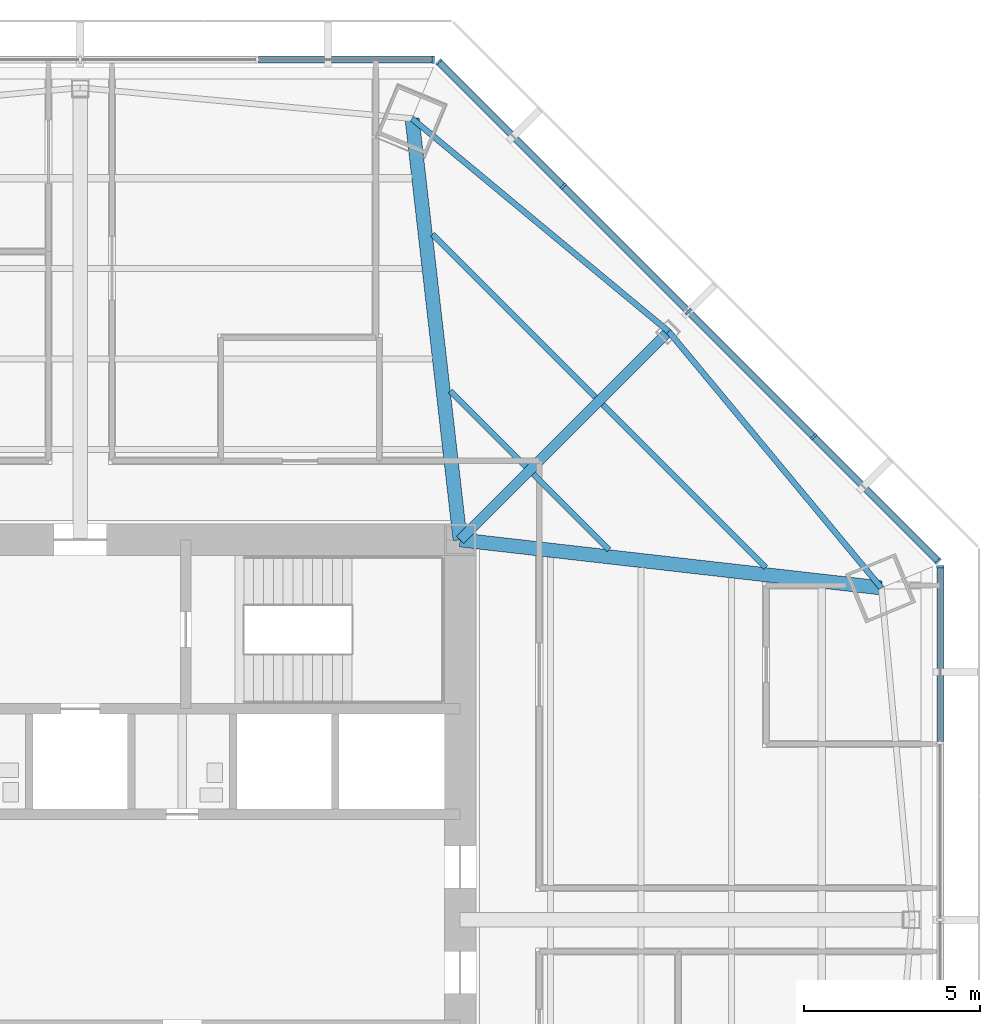
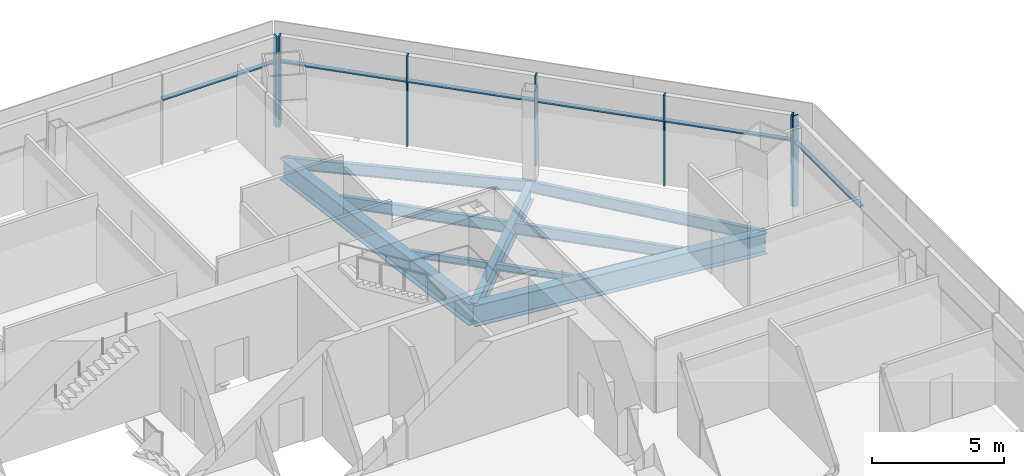
# One storey, part 6 of 15: 13 members, 9 beams, 3 elements without a shape of their own.
"""IFC4 building model written with IfcOpenShell, lengths in metres."""

import ifcopenshell
import ifcopenshell.guid

model = None  # the IFC model being written
_history = None  # IfcOwnerHistory: only IFC2X3 demands one
_inside = {}  # id of a spatial element -> (the spatial element, [elements in it])
_under = {}  # id of a project, library or spatial element -> (it, [spatial elements below it])
_declared = {}  # id of a project -> (the project, [libraries it declares])
_typed = {}  # id of a type object -> (the type object, [elements of that type])
_made_of = {}  # id of a material, layer set ... -> (it, [elements and type objects made of it])


def new_model(schema):
    """Start an empty IFC model of exactly this schema.

    Asked for "IFC4X3", IfcOpenShell would pick the latest addendum, in which some entities
    have other attributes; the version numbers below select the first issue.
    IFC2X3 requires an IfcOwnerHistory on every rooted entity: one is made here for all.
    """
    global model, _history
    if schema == "IFC4X3":
        model = ifcopenshell.file(schema_version=(4, 3, 0, 0))
    else:
        model = ifcopenshell.file(schema=schema)
    _inside.clear()
    _under.clear()
    _declared.clear()
    _typed.clear()
    _made_of.clear()
    _history = None
    if model.schema == "IFC2X3":
        org = make("IfcOrganization", Name="unknown")
        user = make(
            "IfcPersonAndOrganization",
            ThePerson=make("IfcPerson", FamilyName="unknown"),
            TheOrganization=org,
        )
        app = make(
            "IfcApplication",
            ApplicationDeveloper=org,
            Version="unknown",
            ApplicationFullName="unknown",
            ApplicationIdentifier="unknown",
        )
        _history = make(
            "IfcOwnerHistory",
            OwningUser=user,
            OwningApplication=app,
            ChangeAction="ADDED",
            CreationDate=0,
        )
    return model


def make(cls, **values):
    """One entity of the class cls with the attributes given. An attribute that is None is left unset."""
    return model.create_entity(
        cls, **{name: value for name, value in values.items() if value is not None}
    )


def rooted(cls, **values):
    """An entity with a GlobalId (a new one), such as an element, a storey or a relation."""
    return make(cls, GlobalId=ifcopenshell.guid.new(), OwnerHistory=_history, **values)


def si_unit(unit_type, name, prefix=None):
    """IfcSIUnit, for example si_unit("LENGTHUNIT", "METRE", prefix="MILLI")."""
    return make("IfcSIUnit", UnitType=unit_type, Prefix=prefix, Name=name)


def assignment(units):
    """IfcUnitAssignment: the units of a project."""
    return None if units is None else make("IfcUnitAssignment", Units=units)


def point(xyz):
    """IfcCartesianPoint."""
    return None if xyz is None else make("IfcCartesianPoint", Coordinates=xyz)


def direction(xyz):
    """IfcDirection."""
    return None if xyz is None else make("IfcDirection", DirectionRatios=xyz)


def frame(location, z_axis=None, x_axis=None):
    """IfcAxis2Placement3D, a coordinate frame: its origin and axes. An axis left out is left unset."""
    return make(
        "IfcAxis2Placement3D",
        Location=point(location),
        Axis=direction(z_axis),
        RefDirection=direction(x_axis),
    )


def frame_2d(location, x_axis=None):
    """IfcAxis2Placement2D, a coordinate frame in the plane: its origin and x axis."""
    return make(
        "IfcAxis2Placement2D", Location=point(location), RefDirection=direction(x_axis)
    )


def origin():
    """The frame at (0, 0, 0) with its axes left unset."""
    return frame((0.0, 0.0, 0.0))


def origin_2d():
    """The frame at (0, 0) in the plane with its x axis left unset."""
    return frame_2d((0.0, 0.0))


def place(relative_to, where):
    """IfcLocalPlacement: puts the frame where relative to a parent placement (None: the world)."""
    return make(
        "IfcLocalPlacement", PlacementRelTo=relative_to, RelativePlacement=where
    )


def context(
    kind, dimensions, precision=None, world=None, true_north=None, identifier=None
):
    """IfcGeometricRepresentationContext, for example the 3D "Model" context."""
    return make(
        "IfcGeometricRepresentationContext",
        ContextIdentifier=identifier,
        ContextType=kind,
        CoordinateSpaceDimension=dimensions,
        Precision=precision,
        WorldCoordinateSystem=world,
        TrueNorth=true_north,
    )


def subcontext(parent, identifier, kind, view, scale=None):
    """IfcGeometricRepresentationSubContext, for example "Body" below "Model"."""
    return make(
        "IfcGeometricRepresentationSubContext",
        ContextIdentifier=identifier,
        ContextType=kind,
        ParentContext=parent,
        TargetScale=scale,
        TargetView=view,
    )


def project(units=None, contexts=None):
    """IfcProject with its units and contexts."""
    return rooted(
        "IfcProject",
        Name="project",
        RepresentationContexts=contexts,
        UnitsInContext=assignment(units),
    )


def spatial(cls, under=None, at=None, **own):
    """A site, building, storey or space (cls), placed at a placement, below another one or the project."""
    s = rooted(cls, ObjectPlacement=at, **own)
    if under is not None:
        _under.setdefault(under.id(), (under, []))[1].append(s)
    return s


def profile(cls, at=None, kind="AREA", **sizes):
    """A parametric profile (cls). Its sizes go by their IFC names, for example OverallWidth=200.0."""
    return make(cls, ProfileType=kind, Position=at, **sizes)


def rectangle(**sizes):
    """IfcRectangleProfileDef."""
    return profile("IfcRectangleProfileDef", **sizes)


def i_section(**sizes):
    """IfcIShapeProfileDef."""
    return profile("IfcIShapeProfileDef", **sizes)


def extrude(swept, where, along, depth):
    """IfcExtrudedAreaSolid: the profile swept, set in the frame where, extruded along a direction by depth."""
    return make(
        "IfcExtrudedAreaSolid",
        SweptArea=swept,
        Position=where,
        ExtrudedDirection=direction(along),
        Depth=depth,
    )


def shape(context_of_items, identifier, shape_type, items):
    """IfcShapeRepresentation: the items that make up one representation, for example the "Body"."""
    return make(
        "IfcShapeRepresentation",
        ContextOfItems=context_of_items,
        RepresentationIdentifier=identifier,
        RepresentationType=shape_type,
        Items=items,
    )


def source(mapping_origin, context_of_items, identifier, shape_type, items):
    """IfcRepresentationMap: a shape defined once, which mapped items show again and again."""
    return make(
        "IfcRepresentationMap",
        MappingOrigin=mapping_origin,
        MappedRepresentation=shape(context_of_items, identifier, shape_type, items),
    )


def transform(
    local_origin,
    x_axis=None,
    y_axis=None,
    z_axis=None,
    scale=None,
    scale2=None,
    scale3=None,
    uniform=True,
):
    """IfcCartesianTransformationOperator3D, or its non-uniform kind. x_axis, y_axis, z_axis: its Axis1, 2, 3."""
    if uniform:
        return make(
            "IfcCartesianTransformationOperator3D",
            Axis1=direction(x_axis),
            Axis2=direction(y_axis),
            LocalOrigin=point(local_origin),
            Scale=scale,
            Axis3=direction(z_axis),
        )
    return make(
        "IfcCartesianTransformationOperator3DnonUniform",
        Axis1=direction(x_axis),
        Axis2=direction(y_axis),
        LocalOrigin=point(local_origin),
        Scale=scale,
        Axis3=direction(z_axis),
        Scale2=scale2,
        Scale3=scale3,
    )


def mapped(mapping_source, mapping_target):
    """IfcMappedItem: shows the shape of a source again, moved by a transform."""
    return make(
        "IfcMappedItem", MappingSource=mapping_source, MappingTarget=mapping_target
    )


def material(Name=None, Category=None):
    """IfcMaterial."""
    return make("IfcMaterial", Name=Name, Category=Category)


def material_profile(
    of_material, cross_section, Name=None, Category=None, Priority=None
):
    """IfcMaterialProfile: a cross section and its material."""
    return make(
        "IfcMaterialProfile",
        Name=Name,
        Material=of_material,
        Profile=cross_section,
        Priority=Priority,
        Category=Category,
    )


def profile_set(profiles, Name=None, composite=None):
    """IfcMaterialProfileSet."""
    return make(
        "IfcMaterialProfileSet",
        Name=Name,
        MaterialProfiles=profiles,
        CompositeProfile=composite,
    )


def made_of(thing, what):
    """Note that an element or type object is made of a material, layer set ...; save() writes the relation."""
    if what is not None:
        _made_of.setdefault(what.id(), (what, []))[1].append(thing)
    return thing


def type_object(cls, material=None, **own):
    """A type object (cls), such as IfcWallType, which elements share."""
    return made_of(rooted(cls, **own), material)


def type_shapes(of_type, sources):
    """Give a type object the sources (RepresentationMaps) that its elements show as mapped items."""
    of_type.RepresentationMaps = sources


def element(
    cls,
    number,
    at=None,
    inside=None,
    cuts=None,
    type_object=None,
    material=None,
    context=None,
    identifier="Body",
    shape_type=None,
    held_by="IfcProductDefinitionShape",
    body=None,
    shapes=None,
    **own,
):
    """One element of the class cls, such as IfcWall. Its Tag is "e" and its number.

    at: its placement. inside: the storey or other place that contains it. cuts: it is an
    opening in that element (IfcRelVoidsElement). A single representation is given by context,
    identifier, shape_type and body (its items); several are given by shapes. held_by: the class
    of the entity that holds the representations. save() writes the other relations.
    """
    e = rooted(cls, Tag="e%d" % number, ObjectPlacement=at, **own)
    if body is not None:
        shapes = [shape(context, identifier, shape_type, body)]
    if shapes is not None:
        e.Representation = make(held_by, Representations=shapes)
    if inside is not None:
        _inside.setdefault(inside.id(), (inside, []))[1].append(e)
    if cuts is not None:
        rooted(
            "IfcRelVoidsElement", RelatingBuildingElement=cuts, RelatedOpeningElement=e
        )
    if type_object is not None:
        _typed.setdefault(type_object.id(), (type_object, []))[1].append(e)
    return made_of(e, material)


def aggregate(whole, parts):
    """IfcRelAggregates: a whole, such as a stair, and the parts it consists of."""
    return rooted("IfcRelAggregates", RelatingObject=whole, RelatedObjects=parts)


def save(model, path):
    """Write the relations noted so far, then the file.

    IfcRelAggregates (storeys below a building ...), IfcRelContainedInSpatialStructure (elements
    in a storey), IfcRelDefinesByType, IfcRelAssociatesMaterial and IfcRelDeclares: one each for
    every whole, place, type object, material and project.
    """
    for whole, parts in _under.values():
        aggregate(whole, parts)
    for where, things in _inside.values():
        rooted(
            "IfcRelContainedInSpatialStructure",
            RelatedElements=things,
            RelatingStructure=where,
        )
    for kind, things in _typed.values():
        rooted("IfcRelDefinesByType", RelatedObjects=things, RelatingType=kind)
    for what, things in _made_of.values():
        rooted("IfcRelAssociatesMaterial", RelatedObjects=things, RelatingMaterial=what)
    for by, libraries in _declared.values():
        rooted("IfcRelDeclares", RelatingContext=by, RelatedDefinitions=libraries)
    model.write(path)


model = new_model("IFC4")

# Units and contexts
model_context = context("Model", 3, precision=1e-05, world=origin(), true_north=direction((0.0, 1.0)))
body_context = subcontext(model_context, "Body", "Model", "MODEL_VIEW")
ifc_project = project(units=[si_unit("LENGTHUNIT", "METRE"), si_unit("AREAUNIT", "SQUARE_METRE"), si_unit("VOLUMEUNIT", "CUBIC_METRE"), si_unit("PLANEANGLEUNIT", "RADIAN"), si_unit("MASSUNIT", "GRAM", prefix="KILO")], contexts=[model_context])

# Site, building, storey
site_placement = place(None, origin())
site = spatial("IfcSite", under=ifc_project, at=site_placement, CompositionType="ELEMENT")
building_placement = place(site_placement, origin())
building = spatial("IfcBuilding", under=site, at=building_placement, Name="Mashrafa Tower", CompositionType="ELEMENT")
storey_placement = place(building_placement, frame((0.0, 0.0, 126.0)))
storey = spatial("IfcBuildingStorey", under=building, at=storey_placement, Name="L28", CompositionType="ELEMENT", Elevation=126.0)

# Beams
ifc_material_1 = material(Name="Steel ASTM A992", Category="steel")
ifc_material_profile_1 = material_profile(ifc_material_1, i_section(OverallWidth=0.164794921875, OverallDepth=0.309814453125, WebThickness=0.005859375, FlangeThickness=0.009765625, FilletRadius=0.007568359375, at=origin_2d()), Name="W12X26")
ifc_profile_set_1 = profile_set([ifc_material_profile_1], Name="Steel ASTM A992")
beam_type_1 = type_object("IfcBeamType", Name="Beam W12X26", PredefinedType="BEAM", material=ifc_profile_set_1)
for number, where, z_axis, x_axis, name in (
    (1, (10.51953125, 15.031494140625, -0.31982421875), (0.707106781187, -0.707106781187, 0.0), (0.707106781187, 0.707106781187, 0.0), "Floor beam L28 033"),
    (2, (12.87890625, 12.672119140625, -0.31982421875), (0.707106781187, -0.707106781187, 0.0), (0.707106781187, 0.707106781187, 0.0), "Floor beam L28 036"),
):
    element("IfcBeam", number, at=place(storey_placement, frame(where, z_axis=z_axis, x_axis=x_axis)), inside=storey, type_object=beam_type_1, Name=name, PredefinedType="BEAM", context=body_context, shape_type="SweptSolid", body=[
        extrude(i_section(OverallWidth=0.164794921875, OverallDepth=0.309814453125, WebThickness=0.005859375, FlangeThickness=0.009765625, FilletRadius=0.007568359375, at=origin_2d()), origin(), (0.0, 0.0, 1.0), 3.044189453125),
    ])
ifc_material_2 = material(Name="Steel ASTM A992", Category="steel")
ifc_material_profile_2 = material_profile(ifc_material_2, i_section(OverallWidth=0.1650390625, OverallDepth=0.52587890625, WebThickness=0.0087890625, FlangeThickness=0.011474609375, FilletRadius=0.0126953125, at=origin_2d()), Name="W21X44")
ifc_profile_set_2 = profile_set([ifc_material_profile_2], Name="Steel ASTM A992")
beam_type_2 = type_object("IfcBeamType", Name="Beam W21X44", PredefinedType="BEAM", material=ifc_profile_set_2)
for number, where, z_axis, x_axis, name in (
    (3, (10.010986328125, 19.4912109375, -0.427978515625), (0.707106781187, -0.707106781187, 0.0), (0.707106781187, 0.707106781187, 0.0), "Floor beam L28 030"),
    (4, (14.8544921875, 14.647705078125, -0.427978515625), (0.707106781187, -0.707106781187, 0.0), (0.707106781187, 0.707106781187, 0.0), "Floor beam L28 040"),
):
    element("IfcBeam", number, at=place(storey_placement, frame(where, z_axis=z_axis, x_axis=x_axis)), inside=storey, type_object=beam_type_2, Name=name, PredefinedType="BEAM", context=body_context, shape_type="SweptSolid", body=[
        extrude(i_section(OverallWidth=0.1650390625, OverallDepth=0.52587890625, WebThickness=0.0087890625, FlangeThickness=0.011474609375, FilletRadius=0.0126953125, at=origin_2d()), origin(), (0.0, 0.0, 1.0), 6.557373046875),
    ])
for number, where, z_axis, x_axis, name in (
    (5, (16.7265625, 16.7265625, -0.427978515625), (-0.769588095303, 0.63854065146, 0.0), (-0.63854065146, -0.769588095303, 0.0), "Spandrel beam L28 077"),
    (6, (22.77685546875, 9.4345703125, -0.427978515625), (-0.63854065146, 0.769588095303, 0.0), (-0.769588095303, -0.63854065146, 0.0), "Spandrel beam L28 079"),
):
    element("IfcBeam", number, at=place(storey_placement, frame(where, z_axis=z_axis, x_axis=x_axis)), inside=storey, type_object=beam_type_2, Name=name, PredefinedType="BEAM", context=body_context, shape_type="SweptSolid", body=[
        extrude(i_section(OverallWidth=0.1650390625, OverallDepth=0.52587890625, WebThickness=0.0087890625, FlangeThickness=0.011474609375, FilletRadius=0.0126953125, at=origin_2d()), origin(), (0.0, 0.0, 1.0), 9.47509765625),
    ])
ifc_material_3 = material(Name="Steel ASTM A992", Category="steel")
ifc_material_profile_3 = material_profile(ifc_material_3, i_section(OverallWidth=0.2919921875, OverallDepth=0.8408203125, WebThickness=0.0146484375, FlangeThickness=0.021728515625, FilletRadius=0.017333984375, at=origin_2d()), Name="W33X130")
ifc_profile_set_3 = profile_set([ifc_material_profile_3], Name="Steel ASTM A992")
beam_type_3 = type_object("IfcBeamType", Name="Beam W33X130", PredefinedType="BEAM", material=ifc_profile_set_3)
beam_placement = place(storey_placement, frame((10.800048828125, 10.800048828125, -0.58544921875), z_axis=(0.707106781187, 0.707106781187, 0.0), x_axis=(-0.707106781187, 0.707106781187, 0.0)))
element("IfcBeam", 7, at=beam_placement, inside=storey, type_object=beam_type_3, Name="Radial girder L28 063", PredefinedType="BEAM", context=body_context, shape_type="SweptSolid", body=[
    extrude(i_section(OverallWidth=0.2919921875, OverallDepth=0.8408203125, WebThickness=0.0146484375, FlangeThickness=0.021728515625, FilletRadius=0.017333984375, at=origin_2d()), origin(), (0.0, 0.0, 1.0), 8.38134765625),
])
ifc_material_4 = material(Name="Steel ASTM A992", Category="steel")
ifc_material_profile_4 = material_profile(ifc_material_4, i_section(OverallWidth=0.4013671875, OverallDepth=0.98291015625, WebThickness=0.0166015625, FlangeThickness=0.027099609375, FilletRadius=0.0126953125, at=origin_2d()), Name="W40X199")
ifc_profile_set_4 = profile_set([ifc_material_profile_4], Name="Steel ASTM A992")
beam_type_4 = type_object("IfcBeamType", Name="Beam W40X199", PredefinedType="BEAM", material=ifc_profile_set_4)
for number, where, z_axis, x_axis, name in (
    (8, (10.800048828125, 10.800048828125, -0.656494140625), (-0.113276407675, 0.993563513553, 0.0), (-0.993563513553, -0.113276407675, 0.0), "Radial girder L28 062"),
    (9, (10.800048828125, 10.800048828125, -0.656494140625), (0.993563513553, -0.113276407675, 0.0), (0.113276407675, 0.993563513553, 0.0), "Radial girder L28 064"),
):
    element("IfcBeam", number, at=place(storey_placement, frame(where, z_axis=z_axis, x_axis=x_axis)), inside=storey, type_object=beam_type_4, Name=name, PredefinedType="BEAM", context=body_context, shape_type="SweptSolid", body=[
        extrude(i_section(OverallWidth=0.4013671875, OverallDepth=0.98291015625, WebThickness=0.0166015625, FlangeThickness=0.027099609375, FilletRadius=0.0126953125, at=origin_2d()), origin(), (0.0, 0.0, 1.0), 12.054443359375),
    ])

# Curtain wall, member
ifc_material_5 = material(Name="Unitised aluminium curtain wall", Category="aluminium")
curtain_wall_type = type_object("IfcCurtainWallType", Name="Office curtain wall, zone 2 CW-B 225 deep", PredefinedType="NOTDEFINED", material=ifc_material_5)
curtain_wall_1_placement = place(storey_placement, origin())
curtain_wall_1 = element("IfcCurtainWall", 10, at=curtain_wall_1_placement, inside=storey, type_object=curtain_wall_type, Name="Office curtain wall, zone 2 L28 east", PredefinedType="NOTDEFINED")
ifc_material_6 = material(Name="Extruded aluminium mullion", Category="aluminium")
ifc_material_profile_5 = material_profile(ifc_material_6, rectangle(XDim=0.22509765625, YDim=0.06494140625, at=origin_2d()), Name="Mullion 65x225")
ifc_profile_set_5 = profile_set([ifc_material_profile_5], Name="Extruded aluminium mullion")
member_type_1 = type_object("IfcMemberType", Name="Mullion CW-B 65 x 225", PredefinedType="MULLION", material=ifc_profile_set_5)
shared_shape_1 = source(origin(), body_context, "Body", "SweptSolid", [
    extrude(rectangle(XDim=0.22509765625, YDim=0.06494140625, at=origin_2d()), origin(), (0.0, 0.0, 1.0), 4.199951171875),
])
type_shapes(member_type_1, [shared_shape_1])
member_1_placement = place(storey_placement, frame((24.450439453125, 10.03857421875, 0.0), z_axis=(0.0, 0.0, 1.0), x_axis=(-1.0, 0.0, 0.0)))
member_1 = element("IfcMember", 11, at=member_1_placement, type_object=member_type_1, Name="CW-B mullion 5", PredefinedType="MULLION", context=body_context, shape_type="MappedRepresentation", body=[
    mapped(shared_shape_1, transform((0.0, 0.0, 0.0))),
])

# Curtain wall, members
curtain_wall_2_placement = place(storey_placement, origin())
curtain_wall_2 = element("IfcCurtainWall", 12, at=curtain_wall_2_placement, inside=storey, type_object=curtain_wall_type, Name="Office curtain wall, zone 2 L28 north-east", PredefinedType="NOTDEFINED")
member_2_placement = place(storey_placement, frame((24.387451171875, 10.190673828125, 0.0), z_axis=(0.0, 0.0, 1.0), x_axis=(-0.707106781187, -0.707106781187, 0.0)))
member_2 = element("IfcMember", 13, at=member_2_placement, type_object=member_type_1, Name="CW-B mullion 1", PredefinedType="MULLION", context=body_context, shape_type="MappedRepresentation", body=[
    mapped(shared_shape_1, transform((0.0, 0.0, 0.0))),
])
member_3_placement = place(storey_placement, frame((20.849609375, 13.728271484375, 0.0), z_axis=(0.0, 0.0, 1.0), x_axis=(-0.707106781187, -0.707106781187, 0.0)))
member_3 = element("IfcMember", 14, at=member_3_placement, type_object=member_type_1, Name="CW-B mullion 2", PredefinedType="MULLION", context=body_context, shape_type="MappedRepresentation", body=[
    mapped(shared_shape_1, transform((0.0, 0.0, 0.0))),
])
member_4_placement = place(storey_placement, frame((17.2890625, 17.2890625, 0.0), z_axis=(0.0, 0.0, 1.0), x_axis=(-0.707106781187, -0.707106781187, 0.0)))
member_4 = element("IfcMember", 15, at=member_4_placement, type_object=member_type_1, Name="CW-B mullion 3", PredefinedType="MULLION", context=body_context, shape_type="MappedRepresentation", body=[
    mapped(shared_shape_1, transform((0.0, 0.0, 0.0))),
])
member_5_placement = place(storey_placement, frame((13.728271484375, 20.849609375, 0.0), z_axis=(0.0, 0.0, 1.0), x_axis=(-0.707106781187, -0.707106781187, 0.0)))
member_5 = element("IfcMember", 16, at=member_5_placement, type_object=member_type_1, Name="CW-B mullion 4", PredefinedType="MULLION", context=body_context, shape_type="MappedRepresentation", body=[
    mapped(shared_shape_1, transform((0.0, 0.0, 0.0))),
])
member_6_placement = place(storey_placement, frame((10.190673828125, 24.387451171875, 0.0), z_axis=(0.0, 0.0, 1.0), x_axis=(-0.707106781187, -0.707106781187, 0.0)))
member_6 = element("IfcMember", 17, at=member_6_placement, type_object=member_type_1, Name="CW-B mullion 5", PredefinedType="MULLION", context=body_context, shape_type="MappedRepresentation", body=[
    mapped(shared_shape_1, transform((0.0, 0.0, 0.0))),
])

# Curtain wall, member
curtain_wall_3_placement = place(storey_placement, origin())
curtain_wall_3 = element("IfcCurtainWall", 18, at=curtain_wall_3_placement, inside=storey, type_object=curtain_wall_type, Name="Office curtain wall, zone 2 L28 north", PredefinedType="NOTDEFINED")
member_7_placement = place(storey_placement, frame((10.03857421875, 24.450439453125, 0.0), z_axis=(0.0, 0.0, 1.0), x_axis=(0.0, -1.0, 0.0)))
member_7 = element("IfcMember", 19, at=member_7_placement, type_object=member_type_1, Name="CW-B mullion 1", PredefinedType="MULLION", context=body_context, shape_type="MappedRepresentation", body=[
    mapped(shared_shape_1, transform((0.0, 0.0, 0.0))),
])

# Member
ifc_material_7 = material(Name="Extruded aluminium transom", Category="aluminium")
ifc_material_profile_6 = material_profile(ifc_material_7, rectangle(XDim=0.179931640625, YDim=0.080078125, at=origin_2d()), Name="Transom 80x180")
ifc_profile_set_6 = profile_set([ifc_material_profile_6], Name="Extruded aluminium transom")
member_type_2 = type_object("IfcMemberType", Name="Transom CW-B 80 x 180", PredefinedType="MULLION", material=ifc_profile_set_6)
shared_shape_2 = source(origin(), body_context, "Body", "SweptSolid", [
    extrude(rectangle(XDim=0.179931640625, YDim=0.080078125, at=origin_2d()), origin(), (0.0, 0.0, 1.0), 4.93798828125),
])
member_8_placement = place(storey_placement, frame((24.450439453125, 5.068115234375, 3.0), z_axis=(0.0, 1.0, 0.0), x_axis=(-1.0, 0.0, 0.0)))
member_8 = element("IfcMember", 20, at=member_8_placement, type_object=member_type_2, Name="CW-B transom 4", PredefinedType="MULLION", context=body_context, shape_type="MappedRepresentation", body=[
    mapped(shared_shape_2, transform((0.0, 0.0, 0.0))),
])

aggregate(curtain_wall_1, [member_1, member_8])

member_9_placement = place(storey_placement, frame((24.3642578125, 10.213623046875, 3.0), z_axis=(-0.707106781187, 0.707106781187, 0.0), x_axis=(-0.707106781187, -0.707106781187, 0.0)))
member_9 = element("IfcMember", 21, at=member_9_placement, type_object=member_type_2, Name="CW-B transom 1", PredefinedType="MULLION", context=body_context, shape_type="MappedRepresentation", body=[
    mapped(shared_shape_2, transform((0.0, 0.0, 0.0))),
])

member_10_placement = place(storey_placement, frame((13.705322265625, 20.87255859375, 3.0), z_axis=(-0.707106781187, 0.707106781187, 0.0), x_axis=(-0.707106781187, -0.707106781187, 0.0)))
member_10 = element("IfcMember", 22, at=member_10_placement, type_object=member_type_2, Name="CW-B transom 4", PredefinedType="MULLION", context=body_context, shape_type="MappedRepresentation", body=[
    mapped(shared_shape_2, transform((0.0, 0.0, 0.0))),
])

member_11_placement = place(storey_placement, frame((10.006103515625, 24.450439453125, 3.0), z_axis=(-1.0, 0.0, 0.0), x_axis=(0.0, -1.0, 0.0)))
member_11 = element("IfcMember", 23, at=member_11_placement, type_object=member_type_2, Name="CW-B transom 1", PredefinedType="MULLION", context=body_context, shape_type="MappedRepresentation", body=[
    mapped(shared_shape_2, transform((0.0, 0.0, 0.0))),
])

aggregate(curtain_wall_3, [member_7, member_11])

shared_shape_3 = source(origin(), body_context, "Body", "SweptSolid", [
    extrude(rectangle(XDim=0.179931640625, YDim=0.080078125, at=origin_2d()), origin(), (0.0, 0.0, 1.0), 4.970703125),
])
type_shapes(member_type_2, [shared_shape_2, shared_shape_3])
member_12_placement = place(storey_placement, frame((20.82666015625, 13.751220703125, 3.0), z_axis=(-0.707082222472, 0.707131339048, 0.0), x_axis=(-0.707131339048, -0.707082222472, 0.0)))
member_12 = element("IfcMember", 24, at=member_12_placement, type_object=member_type_2, Name="CW-B transom 2", PredefinedType="MULLION", context=body_context, shape_type="MappedRepresentation", body=[
    mapped(shared_shape_3, transform((0.0, 0.0, 0.0))),
])

member_13_placement = place(storey_placement, frame((17.26611328125, 17.31201171875, 3.0), z_axis=(-0.707131339048, 0.707082222472, 0.0), x_axis=(-0.707082222472, -0.707131339048, 0.0)))
member_13 = element("IfcMember", 25, at=member_13_placement, type_object=member_type_2, Name="CW-B transom 3", PredefinedType="MULLION", context=body_context, shape_type="MappedRepresentation", body=[
    mapped(shared_shape_3, transform((0.0, 0.0, 0.0))),
])

aggregate(curtain_wall_2, [member_2, member_3, member_4, member_5, member_6, member_9, member_12, member_13, member_10])

save(model, "model.ifc")
